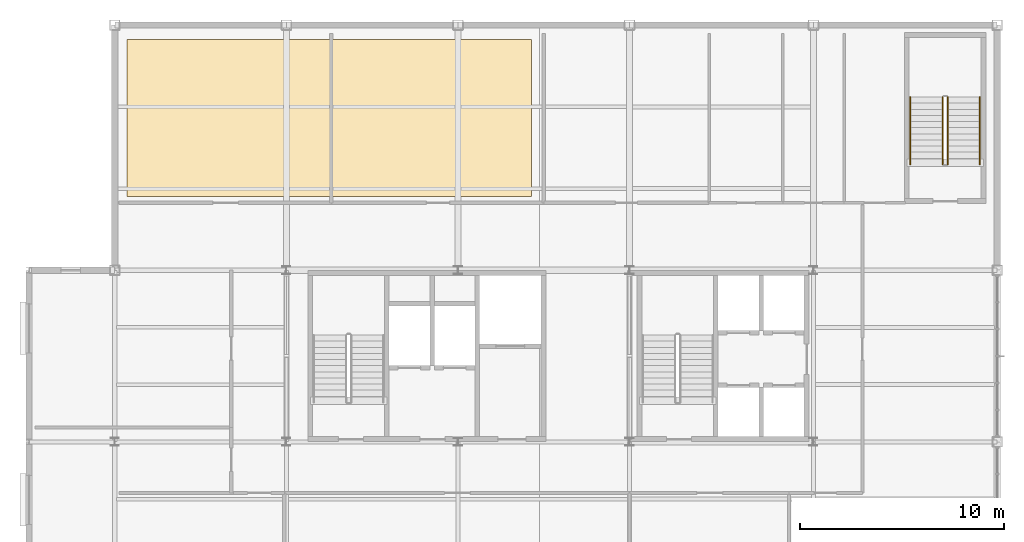
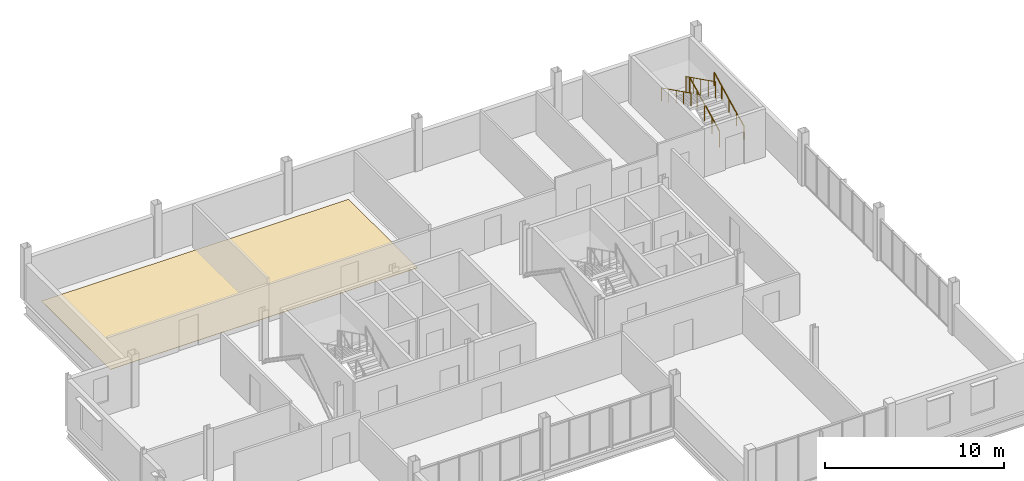
# One storey, part 18 of 19: 4 railings, 1 covering.
"""IFC4 building model written with IfcOpenShell, lengths in metres."""

from ifc_helpers import new_model, si_unit, direction, frame, origin, origin_2d, place, context, subcontext, project, spatial, polyline, circle, outline, extrude, material, layer, layer_set, type_object, element, save


model = new_model("IFC4")

# Units and contexts
model_context = context("Model", 3, precision=1e-05, world=origin(), true_north=direction((0.0, 1.0)))
body_context = subcontext(model_context, "Body", "Model", "MODEL_VIEW")
ifc_project = project(units=[si_unit("LENGTHUNIT", "METRE"), si_unit("AREAUNIT", "SQUARE_METRE"), si_unit("VOLUMEUNIT", "CUBIC_METRE"), si_unit("PLANEANGLEUNIT", "RADIAN"), si_unit("MASSUNIT", "GRAM", prefix="KILO")], contexts=[model_context])

# Site, building, storey
site_placement = place(None, origin())
site = spatial("IfcSite", under=ifc_project, at=site_placement, CompositionType="ELEMENT")
building_placement = place(site_placement, origin())
building = spatial("IfcBuilding", under=site, at=building_placement, Name="Yukiwa Park Conservatory and Herbarium", CompositionType="ELEMENT")
storey_placement = place(building_placement, frame((0.0, 0.0, 31.800048828125)))
storey = spatial("IfcBuildingStorey", under=building, at=storey_placement, Name="L08", CompositionType="ELEMENT", Elevation=31.800048828125)

# Covering
ifc_material_1 = material(Name="Anti-Static Laboratory Epoxy Flooring")
ifc_layer_1 = layer(ifc_material_1, 0.02001953125)
ifc_layer_set_1 = layer_set([ifc_layer_1], Name="Anti-Static Laboratory Epoxy Flooring")
covering_type = type_object("IfcCoveringType", Name="COV-FLR-EPOXY", PredefinedType="FLOORING", material=ifc_layer_set_1)
covering_placement = place(storey_placement, origin())
element("IfcCovering", 1, at=covering_placement, inside=storey, type_object=covering_type, Name="L08 finished floor covering FLR-L08-LAB", PredefinedType="FLOORING", context=body_context, shape_type="SweptSolid", body=[
    extrude(outline(polyline([(125.39990234375, 106.800048828125), (145.199951171875, 106.800048828125), (145.199951171875, 114.5), (125.39990234375, 114.5), (125.39990234375, 106.800048828125)])), origin(), (0.0, 0.0, 1.0), 0.02001953125),
])

# Railings
ifc_material_2 = material(Name="Steel Q235B", Category="steel")
ifc_layer_2 = layer(ifc_material_2, 0.050048828125)
ifc_layer_set_2 = layer_set([ifc_layer_2], Name="Steel Q235B")
railing_type_1 = type_object("IfcRailingType", Name="RL-STAIR-GUARD-1120", PredefinedType="BALUSTRADE", material=ifc_layer_set_2)
railing_1_placement = place(storey_placement, frame((165.570068359375, 108.3798828125, 0.14990234375)))
element("IfcRailing", 2, at=railing_1_placement, inside=storey, type_object=railing_type_1, Name="L08 ST-T3 stair guard 1", PredefinedType="BALUSTRADE", context=body_context, shape_type="SweptSolid", body=[
    extrude(circle(Radius=0.02392578125, at=origin_2d()), frame((0.0, 0.0, 1.09619140625), z_axis=(0.0, 0.894413956696, 0.447240063129), x_axis=(-1.0, 0.0, 0.0)), (0.0, 0.0, 1.0), 3.689697265625),
    extrude(circle(Radius=0.02099609375, at=origin_2d()), origin(), (0.0, 0.0, 1.0), 1.072021484375),
    extrude(circle(Radius=0.02099609375, at=origin_2d()), frame((0.0, 0.824951171875, 0.41259765625)), (0.0, 0.0, 1.0), 1.072021484375),
    extrude(circle(Radius=0.02099609375, at=origin_2d()), frame((0.0, 1.64990234375, 0.8251953125)), (0.0, 0.0, 1.0), 1.072021484375),
    extrude(circle(Radius=0.02099609375, at=origin_2d()), frame((0.0, 2.47509765625, 1.237548828125)), (0.0, 0.0, 1.0), 1.072021484375),
    extrude(circle(Radius=0.02099609375, at=origin_2d()), frame((0.0, 3.300048828125, 1.650146484375)), (0.0, 0.0, 1.0), 1.072021484375),
])
railing_2_placement = place(storey_placement, frame((165.320068359375, 111.679931640625, 1.949951171875)))
element("IfcRailing", 3, at=railing_2_placement, inside=storey, type_object=railing_type_1, Name="L08 ST-T3 stair guard 3", PredefinedType="BALUSTRADE", context=body_context, shape_type="SweptSolid", body=[
    extrude(circle(Radius=0.02392578125, at=origin_2d()), frame((0.0, 0.0, 1.09619140625), z_axis=(0.0, -0.894440424912, 0.447187126696), x_axis=(1.0, 0.0, 0.0)), (0.0, 0.0, 1.0), 3.689453125),
    extrude(circle(Radius=0.02099609375, at=origin_2d()), origin(), (0.0, 0.0, 1.0), 1.072021484375),
    extrude(circle(Radius=0.02099609375, at=origin_2d()), frame((0.0, -0.824951171875, 0.41259765625)), (0.0, 0.0, 1.0), 1.072021484375),
    extrude(circle(Radius=0.02099609375, at=origin_2d()), frame((0.0, -1.64990234375, 0.824951171875)), (0.0, 0.0, 1.0), 1.072021484375),
    extrude(circle(Radius=0.02099609375, at=origin_2d()), frame((0.0, -2.47509765625, 1.2373046875)), (0.0, 0.0, 1.0), 1.072021484375),
    extrude(circle(Radius=0.02099609375, at=origin_2d()), frame((0.0, -3.300048828125, 1.64990234375)), (0.0, 0.0, 1.0), 1.072021484375),
])
ifc_material_3 = material(Name="Steel Q235B", Category="steel")
ifc_layer_3 = layer(ifc_material_3, 0.044921875)
ifc_layer_set_3 = layer_set([ifc_layer_3], Name="Steel Q235B")
railing_type_2 = type_object("IfcRailingType", Name="RL-STAIR-RAIL-900", PredefinedType="HANDRAIL", material=ifc_layer_set_3)
railing_3_placement = place(storey_placement, frame((167.14990234375, 108.3798828125, 0.14990234375)))
element("IfcRailing", 4, at=railing_3_placement, inside=storey, type_object=railing_type_2, Name="L08 ST-T3 stair handrail 1", PredefinedType="HANDRAIL", context=body_context, shape_type="SweptSolid", body=[
    extrude(circle(Radius=0.02392578125, at=origin_2d()), frame((0.0, 0.0, 0.8759765625), z_axis=(0.0, 0.894413956696, 0.447240063129), x_axis=(-1.0, 0.0, 0.0)), (0.0, 0.0, 1.0), 3.689697265625),
    extrude(circle(Radius=0.02099609375, at=origin_2d()), origin(), (0.0, 0.0, 1.0), 0.851806640625),
    extrude(circle(Radius=0.02099609375, at=origin_2d()), frame((0.0, 0.824951171875, 0.41259765625)), (0.0, 0.0, 1.0), 0.851806640625),
    extrude(circle(Radius=0.02099609375, at=origin_2d()), frame((0.0, 1.64990234375, 0.8251953125)), (0.0, 0.0, 1.0), 0.851806640625),
    extrude(circle(Radius=0.02099609375, at=origin_2d()), frame((0.0, 2.47509765625, 1.237548828125)), (0.0, 0.0, 1.0), 0.851806640625),
    extrude(circle(Radius=0.02099609375, at=origin_2d()), frame((0.0, 3.300048828125, 1.650146484375)), (0.0, 0.0, 1.0), 0.851806640625),
])
railing_4_placement = place(storey_placement, frame((163.739990234375, 111.679931640625, 1.949951171875)))
element("IfcRailing", 5, at=railing_4_placement, inside=storey, type_object=railing_type_2, Name="L08 ST-T3 stair handrail 2", PredefinedType="HANDRAIL", context=body_context, shape_type="SweptSolid", body=[
    extrude(circle(Radius=0.02392578125, at=origin_2d()), frame((0.0, 0.0, 0.8759765625), z_axis=(0.0, -0.894440424912, 0.447187126696), x_axis=(1.0, 0.0, 0.0)), (0.0, 0.0, 1.0), 3.689453125),
    extrude(circle(Radius=0.02099609375, at=origin_2d()), origin(), (0.0, 0.0, 1.0), 0.851806640625),
    extrude(circle(Radius=0.02099609375, at=origin_2d()), frame((0.0, -0.824951171875, 0.41259765625)), (0.0, 0.0, 1.0), 0.851806640625),
    extrude(circle(Radius=0.02099609375, at=origin_2d()), frame((0.0, -1.64990234375, 0.824951171875)), (0.0, 0.0, 1.0), 0.851806640625),
    extrude(circle(Radius=0.02099609375, at=origin_2d()), frame((0.0, -2.47509765625, 1.2373046875)), (0.0, 0.0, 1.0), 0.851806640625),
    extrude(circle(Radius=0.02099609375, at=origin_2d()), frame((0.0, -3.300048828125, 1.64990234375)), (0.0, 0.0, 1.0), 0.851806640625),
])

save(model, "model.ifc")
